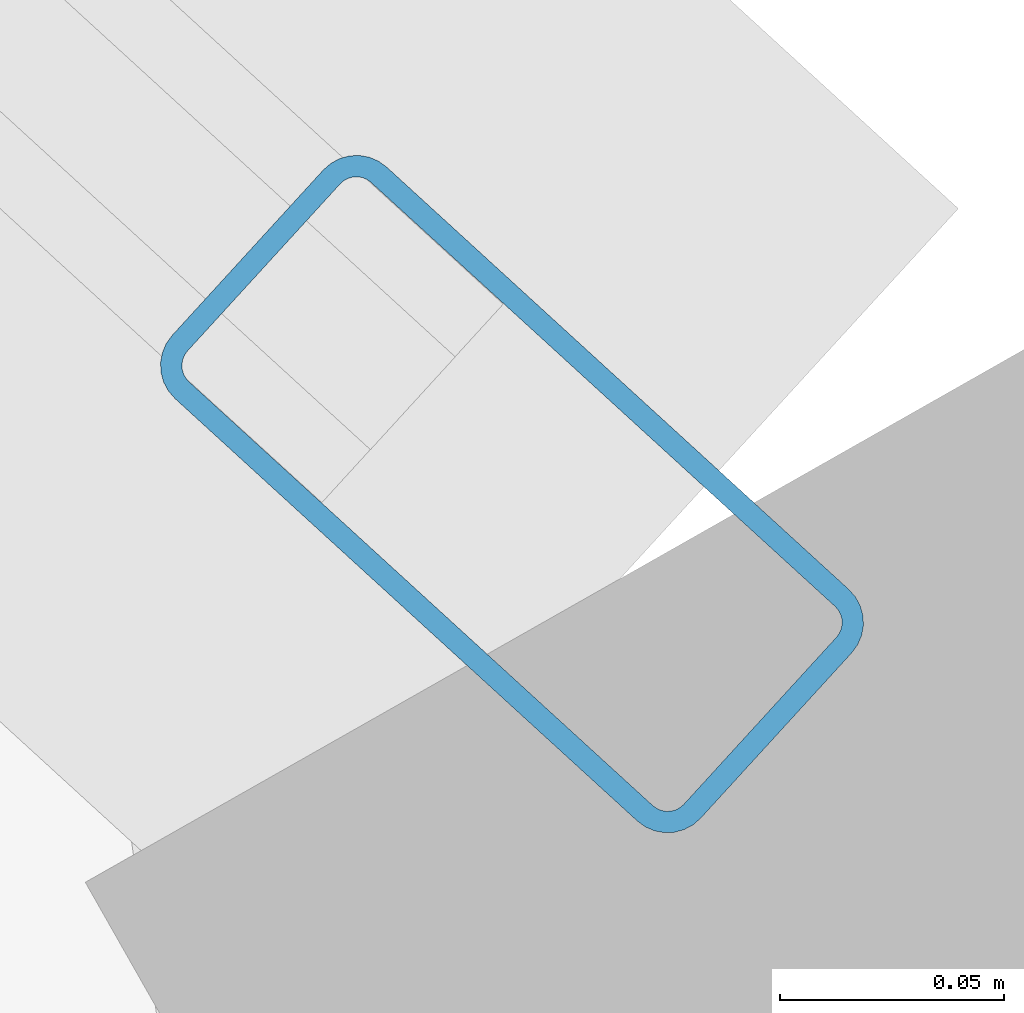
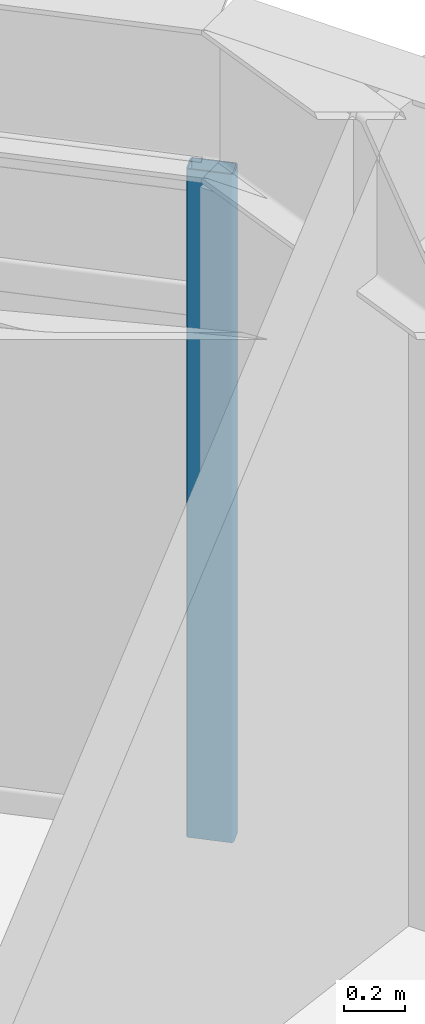
# One storey, part 11 of 22: 1 member, 1 element without a shape of its own.
"""IFC4 building model written with IfcOpenShell, lengths in metres."""

from ifc_helpers import new_model, si_unit, direction, frame, origin, origin_2d, place, context, subcontext, project, spatial, hollow_rectangle, extrude, material, layer, layer_set, material_profile, profile_set, type_object, element, aggregate, save


model = new_model("IFC4")

# Units and contexts
model_context = context("Model", 3, precision=1e-05, world=origin(), true_north=direction((0.0, 1.0)))
body_context = subcontext(model_context, "Body", "Model", "MODEL_VIEW")
ifc_project = project(units=[si_unit("LENGTHUNIT", "METRE"), si_unit("AREAUNIT", "SQUARE_METRE"), si_unit("VOLUMEUNIT", "CUBIC_METRE"), si_unit("PLANEANGLEUNIT", "RADIAN"), si_unit("MASSUNIT", "GRAM", prefix="KILO")], contexts=[model_context])

# Site, building, storey
site_placement = place(None, origin())
site = spatial("IfcSite", under=ifc_project, at=site_placement, CompositionType="ELEMENT")
building_placement = place(site_placement, origin())
building = spatial("IfcBuilding", under=site, at=building_placement, Name="Soratama Intermodal Tower", CompositionType="ELEMENT")
storey_placement = place(building_placement, frame((0.0, 0.0, 142.60009765625)))
storey = spatial("IfcBuildingStorey", under=building, at=storey_placement, Name="L34", CompositionType="ELEMENT", Elevation=142.60009765625)

# Curtain wall, member
ifc_material_1 = material(Name="Double-glazed aluminium curtain wall", Category="aluminium")
ifc_layer = layer(ifc_material_1, 0.159912109375)
ifc_layer_set = layer_set([ifc_layer], Name="Double-glazed aluminium curtain wall")
curtain_wall_type = type_object("IfcCurtainWallType", Name="CW-SYS-4", PredefinedType="NOTDEFINED", material=ifc_layer_set)
curtain_wall_placement = place(storey_placement, origin())
curtain_wall = element("IfcCurtainWall", 1, at=curtain_wall_placement, inside=storey, type_object=curtain_wall_type, Name="L34 Faceted Curtain Wall F01", PredefinedType="NOTDEFINED")
ifc_material_2 = material(Name="Anodised aluminium AA 6063-T6", Category="aluminium")
ifc_material_profile = material_profile(ifc_material_2, hollow_rectangle(XDim=0.070068359375, YDim=0.159912109375, WallThickness=0.0048828125, InnerFilletRadius=0.0048828125, OuterFilletRadius=0.010009765625, at=origin_2d()), Name="CWM160X70X5")
ifc_profile_set = profile_set([ifc_material_profile], Name="Anodised aluminium AA 6063-T6")
member_type = type_object("IfcMemberType", Name="MT-CWM-4", PredefinedType="MULLION", material=ifc_profile_set)
member_placement = place(storey_placement, frame((60.012451171875, 35.259765625, 0.0), z_axis=(0.0, 0.0, 1.0), x_axis=(-0.674559219776, -0.738220738678, 0.0)))
member = element("IfcMember", 2, at=member_placement, type_object=member_type, Name="CW-4 mullion 1", PredefinedType="MULLION", context=body_context, shape_type="SweptSolid", body=[
    extrude(hollow_rectangle(XDim=0.070068359375, YDim=0.159912109375, WallThickness=0.0048828125, InnerFilletRadius=0.0048828125, OuterFilletRadius=0.010009765625, at=origin_2d()), origin(), (0.0, 0.0, 1.0), 2.678955078125),
])
aggregate(curtain_wall, [member])

save(model, "model.ifc")
